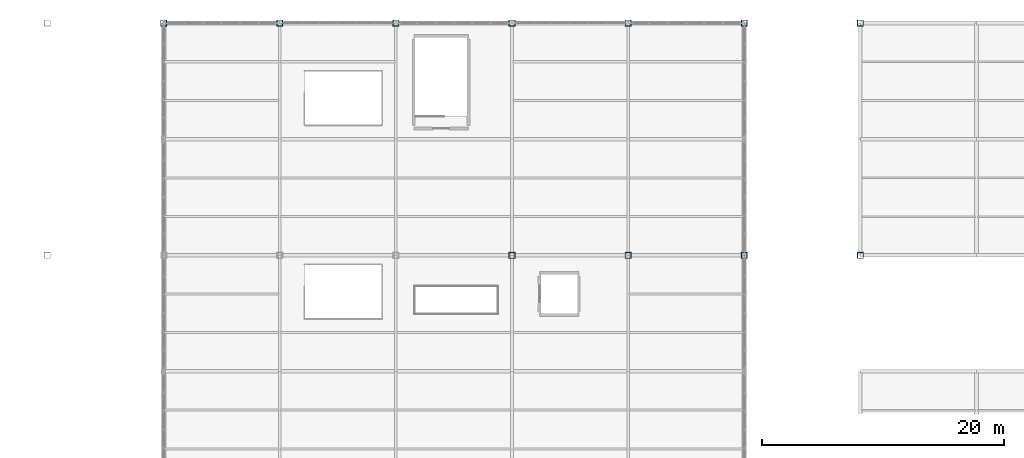
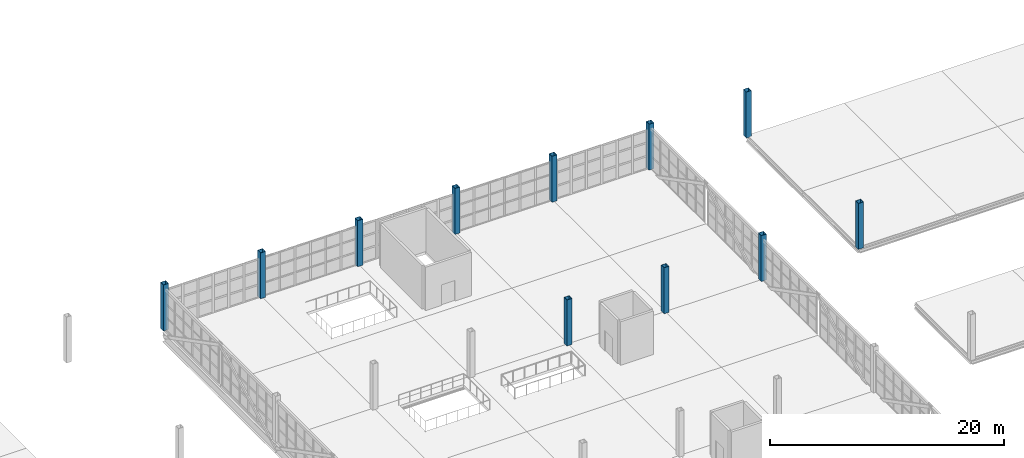
# One storey, part 11 of 120: 11 columns.
"""IFC4 building model written with IfcOpenShell, lengths in metres."""

from ifc_helpers import new_model, si_unit, direction, frame, origin, origin_2d, place, context, subcontext, project, spatial, hollow_rectangle, extrude, material, material_profile, profile_set, type_object, element, save


model = new_model("IFC4")

# Units and contexts
model_context = context("Model", 3, precision=1e-05, world=origin(), true_north=direction((0.0, 1.0)))
body_context = subcontext(model_context, "Body", "Model", "MODEL_VIEW")
ifc_project = project(units=[si_unit("LENGTHUNIT", "METRE"), si_unit("AREAUNIT", "SQUARE_METRE"), si_unit("VOLUMEUNIT", "CUBIC_METRE"), si_unit("PLANEANGLEUNIT", "RADIAN"), si_unit("MASSUNIT", "GRAM", prefix="KILO")], contexts=[model_context])

# Site, building, storey
site_placement = place(None, origin())
site = spatial("IfcSite", under=ifc_project, at=site_placement, CompositionType="ELEMENT")
building_placement = place(site_placement, origin())
building = spatial("IfcBuilding", under=site, at=building_placement, Name="Zarnetskaya Central Station", CompositionType="ELEMENT")
storey_placement = place(building_placement, frame((0.0, 0.0, 5.39990234375)))
storey = spatial("IfcBuildingStorey", under=building, at=storey_placement, Name="L01", CompositionType="ELEMENT", Elevation=5.39990234375)

# Columns
ifc_material = material(Name="Steel S355", Category="steel")
ifc_material_profile = material_profile(ifc_material, hollow_rectangle(XDim=0.5, YDim=0.5, WallThickness=0.02490234375, at=origin_2d()), Name="BOX 500x500x25")
ifc_profile_set = profile_set([ifc_material_profile], Name="Steel S355")
column_type = type_object("IfcColumnType", Name="COL-V1-SHED", PredefinedType="COLUMN", material=ifc_profile_set)
for number, where, z_axis, x_axis, name in (
    (1, (67.199951171875, 124.800048828125, 0.0), (0.0, 0.0, 1.0), (1.0, 0.0, 0.0), "Column H15 L01"),
    (2, (76.800048828125, 124.800048828125, 0.0), (0.0, 0.0, 1.0), (1.0, 0.0, 0.0), "Column J15 L01"),
    (3, (86.39990234375, 124.800048828125, 0.0), (0.0, 0.0, 1.0), (1.0, 0.0, 0.0), "Column K15 L01"),
    (4, (96.0, 105.60009765625, 0.0), (0.0, 0.0, 1.0), (1.0, 0.0, 0.0), "Column L13 L01"),
    (5, (96.0, 124.800048828125, 0.0), (0.0, 0.0, 1.0), (1.0, 0.0, 0.0), "Column L15 L01"),
    (6, (105.60009765625, 105.60009765625, 0.0), (0.0, 0.0, 1.0), (1.0, 0.0, 0.0), "Column M13 L01"),
    (7, (105.60009765625, 124.800048828125, 0.0), (0.0, 0.0, 1.0), (1.0, 0.0, 0.0), "Column M15 L01"),
    (8, (115.199951171875, 105.60009765625, 0.0), (0.0, 0.0, 1.0), (1.0, 0.0, 0.0), "Column N13 L01"),
    (9, (115.199951171875, 124.800048828125, 0.0), (0.0, 0.0, 1.0), (1.0, 0.0, 0.0), "Column N15 L01"),
    (10, (124.800048828125, 105.60009765625, 0.0), (0.0, 0.0, 1.0), (1.0, 0.0, 0.0), "Column P13 L01"),
    (11, (124.800048828125, 124.800048828125, 0.0), (0.0, 0.0, 1.0), (1.0, 0.0, 0.0), "Column P15 L01"),
):
    element("IfcColumn", number, at=place(storey_placement, frame(where, z_axis=z_axis, x_axis=x_axis)), inside=storey, type_object=column_type, Name=name, PredefinedType="COLUMN", context=body_context, shape_type="SweptSolid", body=[
        extrude(hollow_rectangle(XDim=0.5, YDim=0.5, WallThickness=0.02490234375, at=origin_2d()), origin(), (0.0, 0.0, 1.0), 4.800048828125),
    ])

save(model, "model.ifc")
